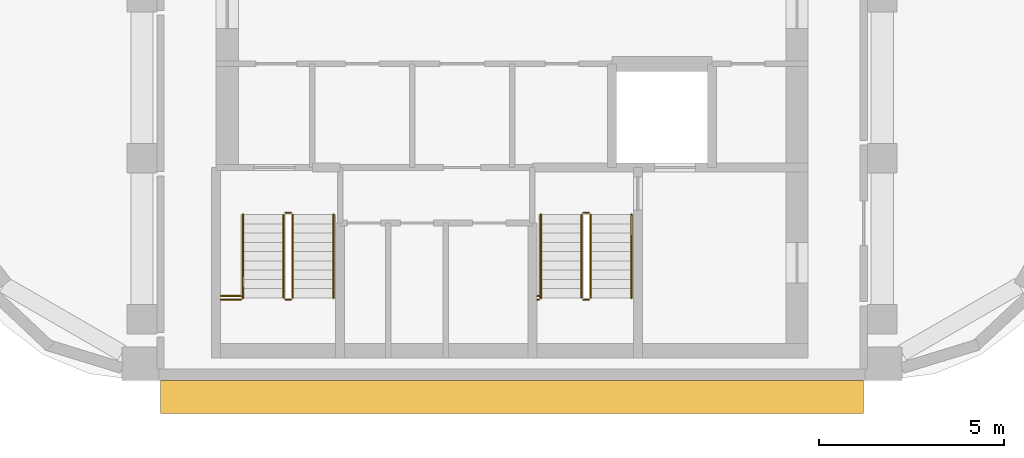
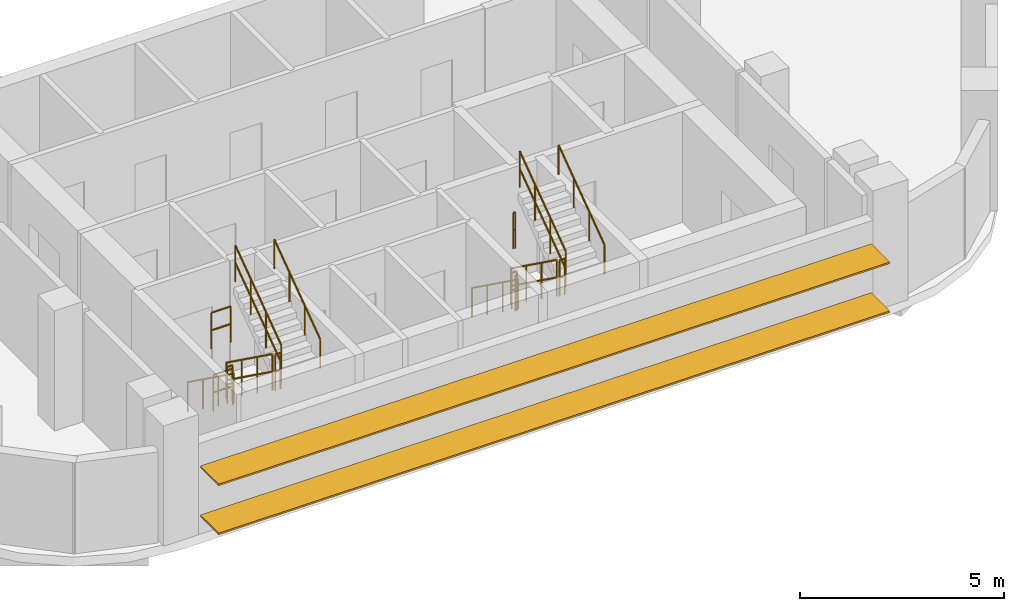
# One storey, part 7 of 9: 16 railings, 2 shading devices.
"""IFC4 building model written with IfcOpenShell, lengths in metres."""

from ifc_helpers import new_model, si_unit, direction, frame, origin, origin_2d, place, context, subcontext, project, spatial, rectangle, circle, extrude, material, material_profile, profile_set, type_object, element, save


model = new_model("IFC4")

# Units and contexts
model_context = context("Model", 3, precision=1e-05, world=origin(), true_north=direction((0.0, 1.0)))
body_context = subcontext(model_context, "Body", "Model", "MODEL_VIEW")
ifc_project = project(units=[si_unit("LENGTHUNIT", "METRE"), si_unit("AREAUNIT", "SQUARE_METRE"), si_unit("VOLUMEUNIT", "CUBIC_METRE"), si_unit("PLANEANGLEUNIT", "RADIAN"), si_unit("MASSUNIT", "GRAM", prefix="KILO")], contexts=[model_context])

# Site, building, storey
site_placement = place(None, origin())
site = spatial("IfcSite", under=ifc_project, at=site_placement, CompositionType="ELEMENT")
building_placement = place(site_placement, origin())
building = spatial("IfcBuilding", under=site, at=building_placement, Name="Nakaniwa Court", CompositionType="ELEMENT")
storey_placement = place(building_placement, frame((0.0, 0.0, 276.0)))
storey = spatial("IfcBuildingStorey", under=building, at=storey_placement, Name="C02", CompositionType="ELEMENT", Elevation=276.0)

# Shading devices
ifc_material_1 = material(Name="Perforated charcoal ceramic louvre blade")
ifc_material_profile = material_profile(ifc_material_1, rectangle(XDim=0.89990234375, YDim=0.050048828125, at=origin_2d()), Name="Perforated ceramic louvre blade")
ifc_profile_set = profile_set([ifc_material_profile], Name="Perforated charcoal ceramic louvre blade")
shading_device_type = type_object("IfcShadingDeviceType", Name="Perforated ceramic louvre blade", PredefinedType="JALOUSIE", material=ifc_profile_set)
for number, where, z_axis, x_axis, name in (
    (1, (70.500732421875, 56.89990234375, 0.550048828125), (1.0, 0.0, 0.0), (0.0, 1.0, 0.0), "C02 perforated ceramic louvre blade w10 1"),
    (2, (70.500732421875, 56.89990234375, 2.014892578125), (1.0, 0.0, 0.0), (0.0, 1.0, 0.0), "C02 perforated ceramic louvre blade w10 2"),
):
    element("IfcShadingDevice", number, at=place(storey_placement, frame(where, z_axis=z_axis, x_axis=x_axis)), inside=storey, type_object=shading_device_type, Name=name, PredefinedType="JALOUSIE", context=body_context, shape_type="SweptSolid", body=[
        extrude(rectangle(XDim=0.89990234375, YDim=0.050048828125, at=origin_2d()), origin(), (0.0, 0.0, 1.0), 18.99267578125),
    ])

# Railings
ifc_material_2 = material(Name="Black powder coated steel guard", Category="steel")
railing_type_1 = type_object("IfcRailingType", Name="Stair guard 1100", PredefinedType="GUARDRAIL", material=ifc_material_2)
railing_1_placement = place(storey_placement, frame((73.824951171875, 61.824951171875, 0.179931640625)))
element("IfcRailing", 3, at=railing_1_placement, inside=storey, type_object=railing_type_1, Name="C02 ST3 stair guard 1", PredefinedType="GUARDRAIL", context=body_context, shape_type="SweptSolid", body=[
    extrude(circle(Radius=0.02392578125, at=origin_2d()), frame((0.0, 0.0, 1.076171875), z_axis=(0.0, -0.811514298965, 0.584332561625), x_axis=(1.0, 0.0, 0.0)), (0.0, 0.0, 1.0), 2.772705078125),
    extrude(circle(Radius=0.02392578125, at=origin_2d()), frame((0.0, 0.0, 0.550048828125), z_axis=(0.0, -0.811514298965, 0.584332561625), x_axis=(1.0, 0.0, 0.0)), (0.0, 0.0, 1.0), 2.772705078125),
    extrude(circle(Radius=0.02099609375, at=origin_2d()), origin(), (0.0, 0.0, 1.0), 1.052001953125),
    extrude(circle(Radius=0.02099609375, at=origin_2d()), frame((0.0, -0.75, 0.5400390625)), (0.0, 0.0, 1.0), 1.052001953125),
    extrude(circle(Radius=0.02099609375, at=origin_2d()), frame((0.0, -1.5, 1.080078125)), (0.0, 0.0, 1.0), 1.052001953125),
    extrude(circle(Radius=0.02099609375, at=origin_2d()), frame((0.0, -2.25, 1.6201171875)), (0.0, 0.0, 1.0), 1.052001953125),
])
railing_2_placement = place(storey_placement, frame((73.875, 59.52490234375, 1.800048828125)))
element("IfcRailing", 4, at=railing_2_placement, inside=storey, type_object=railing_type_1, Name="C02 ST3 stair guard 2", PredefinedType="GUARDRAIL", context=body_context, shape_type="SweptSolid", body=[
    extrude(circle(Radius=0.02392578125, at=origin_2d()), frame((0.0, 0.0, 1.076171875), z_axis=(1.0, 0.0, 0.0), x_axis=(0.0, 1.0, 0.0)), (0.0, 0.0, 1.0), 0.14990234375),
    extrude(circle(Radius=0.02392578125, at=origin_2d()), frame((0.0, 0.0, 0.550048828125), z_axis=(1.0, 0.0, 0.0), x_axis=(0.0, 1.0, 0.0)), (0.0, 0.0, 1.0), 0.14990234375),
    extrude(circle(Radius=0.02099609375, at=origin_2d()), origin(), (0.0, 0.0, 1.0), 1.052001953125),
    extrude(circle(Radius=0.02099609375, at=origin_2d()), frame((0.14990234375, 0.0, 0.0)), (0.0, 0.0, 1.0), 1.052001953125),
])
railing_3_placement = place(storey_placement, frame((74.074951171875, 59.574951171875, 1.97998046875)))
element("IfcRailing", 5, at=railing_3_placement, inside=storey, type_object=railing_type_1, Name="C02 ST3 stair guard 3", PredefinedType="GUARDRAIL", context=body_context, shape_type="SweptSolid", body=[
    extrude(circle(Radius=0.02392578125, at=origin_2d()), frame((0.0, 0.0, 1.076171875), z_axis=(0.0, 0.811514298965, 0.584332561625), x_axis=(-1.0, 0.0, 0.0)), (0.0, 0.0, 1.0), 2.772705078125),
    extrude(circle(Radius=0.02392578125, at=origin_2d()), frame((0.0, 0.0, 0.550048828125), z_axis=(0.0, 0.811514298965, 0.584332561625), x_axis=(-1.0, 0.0, 0.0)), (0.0, 0.0, 1.0), 2.772705078125),
    extrude(circle(Radius=0.02099609375, at=origin_2d()), origin(), (0.0, 0.0, 1.0), 1.052001953125),
    extrude(circle(Radius=0.02099609375, at=origin_2d()), frame((0.0, 0.75, 0.5400390625)), (0.0, 0.0, 1.0), 1.052001953125),
    extrude(circle(Radius=0.02099609375, at=origin_2d()), frame((0.0, 1.5, 1.080078125)), (0.0, 0.0, 1.0), 1.052001953125),
    extrude(circle(Radius=0.02099609375, at=origin_2d()), frame((0.0, 2.25, 1.6201171875)), (0.0, 0.0, 1.0), 1.052001953125),
])
railing_4_placement = place(storey_placement, frame((73.875, 61.875, 0.0)))
element("IfcRailing", 6, at=railing_4_placement, inside=storey, type_object=railing_type_1, Name="C02 ST3 stair guard 4", PredefinedType="GUARDRAIL", context=body_context, shape_type="SweptSolid", body=[
    extrude(circle(Radius=0.02392578125, at=origin_2d()), frame((0.0, 0.0, 1.076171875), z_axis=(1.0, 0.0, 0.0), x_axis=(0.0, 1.0, 0.0)), (0.0, 0.0, 1.0), 0.14990234375),
    extrude(circle(Radius=0.02392578125, at=origin_2d()), frame((0.0, 0.0, 0.550048828125), z_axis=(1.0, 0.0, 0.0), x_axis=(0.0, 1.0, 0.0)), (0.0, 0.0, 1.0), 0.14990234375),
    extrude(circle(Radius=0.02099609375, at=origin_2d()), origin(), (0.0, 0.0, 1.0), 1.052001953125),
    extrude(circle(Radius=0.02099609375, at=origin_2d()), frame((0.14990234375, 0.0, 0.0)), (0.0, 0.0, 1.0), 1.052001953125),
])
for number, where, name in (
    (7, (72.125, 59.52490234375, 1.800048828125), "C02 ST3 landing side guard 1W"),
    (8, (72.125, 59.625, 3.60009765625), "C02 ST3 floor edge guard 1W"),
):
    element("IfcRailing", number, at=place(storey_placement, frame(where)), inside=storey, type_object=railing_type_1, Name=name, PredefinedType="GUARDRAIL", context=body_context, shape_type="SweptSolid", body=[
        extrude(circle(Radius=0.02392578125, at=origin_2d()), frame((0.0, 0.0, 1.076171875), z_axis=(1.0, 0.0, 0.0), x_axis=(0.0, 1.0, 0.0)), (0.0, 0.0, 1.0), 0.550048828125),
        extrude(circle(Radius=0.02392578125, at=origin_2d()), frame((0.0, 0.0, 0.550048828125), z_axis=(1.0, 0.0, 0.0), x_axis=(0.0, 1.0, 0.0)), (0.0, 0.0, 1.0), 0.550048828125),
        extrude(circle(Radius=0.02099609375, at=origin_2d()), origin(), (0.0, 0.0, 1.0), 1.052001953125),
        extrude(circle(Radius=0.02099609375, at=origin_2d()), frame((0.550048828125, 0.0, 0.0)), (0.0, 0.0, 1.0), 1.052001953125),
    ])
railing_5_placement = place(storey_placement, frame((81.875, 61.824951171875, 0.179931640625)))
element("IfcRailing", 9, at=railing_5_placement, inside=storey, type_object=railing_type_1, Name="C02 ST4 stair guard 1", PredefinedType="GUARDRAIL", context=body_context, shape_type="SweptSolid", body=[
    extrude(circle(Radius=0.02392578125, at=origin_2d()), frame((0.0, 0.0, 1.076171875), z_axis=(0.0, -0.811514298965, 0.584332561625), x_axis=(1.0, 0.0, 0.0)), (0.0, 0.0, 1.0), 2.772705078125),
    extrude(circle(Radius=0.02392578125, at=origin_2d()), frame((0.0, 0.0, 0.550048828125), z_axis=(0.0, -0.811514298965, 0.584332561625), x_axis=(1.0, 0.0, 0.0)), (0.0, 0.0, 1.0), 2.772705078125),
    extrude(circle(Radius=0.02099609375, at=origin_2d()), origin(), (0.0, 0.0, 1.0), 1.052001953125),
    extrude(circle(Radius=0.02099609375, at=origin_2d()), frame((0.0, -0.75, 0.5400390625)), (0.0, 0.0, 1.0), 1.052001953125),
    extrude(circle(Radius=0.02099609375, at=origin_2d()), frame((0.0, -1.5, 1.080078125)), (0.0, 0.0, 1.0), 1.052001953125),
    extrude(circle(Radius=0.02099609375, at=origin_2d()), frame((0.0, -2.25, 1.6201171875)), (0.0, 0.0, 1.0), 1.052001953125),
])
railing_6_placement = place(storey_placement, frame((81.925048828125, 59.52490234375, 1.800048828125)))
element("IfcRailing", 10, at=railing_6_placement, inside=storey, type_object=railing_type_1, Name="C02 ST4 stair guard 2", PredefinedType="GUARDRAIL", context=body_context, shape_type="SweptSolid", body=[
    extrude(circle(Radius=0.02392578125, at=origin_2d()), frame((0.0, 0.0, 1.076171875), z_axis=(1.0, 0.0, 0.0), x_axis=(0.0, 1.0, 0.0)), (0.0, 0.0, 1.0), 0.14990234375),
    extrude(circle(Radius=0.02392578125, at=origin_2d()), frame((0.0, 0.0, 0.550048828125), z_axis=(1.0, 0.0, 0.0), x_axis=(0.0, 1.0, 0.0)), (0.0, 0.0, 1.0), 0.14990234375),
    extrude(circle(Radius=0.02099609375, at=origin_2d()), origin(), (0.0, 0.0, 1.0), 1.052001953125),
    extrude(circle(Radius=0.02099609375, at=origin_2d()), frame((0.14990234375, 0.0, 0.0)), (0.0, 0.0, 1.0), 1.052001953125),
])
railing_7_placement = place(storey_placement, frame((82.125, 59.574951171875, 1.97998046875)))
element("IfcRailing", 11, at=railing_7_placement, inside=storey, type_object=railing_type_1, Name="C02 ST4 stair guard 3", PredefinedType="GUARDRAIL", context=body_context, shape_type="SweptSolid", body=[
    extrude(circle(Radius=0.02392578125, at=origin_2d()), frame((0.0, 0.0, 1.076171875), z_axis=(0.0, 0.811514298965, 0.584332561625), x_axis=(-1.0, 0.0, 0.0)), (0.0, 0.0, 1.0), 2.772705078125),
    extrude(circle(Radius=0.02392578125, at=origin_2d()), frame((0.0, 0.0, 0.550048828125), z_axis=(0.0, 0.811514298965, 0.584332561625), x_axis=(-1.0, 0.0, 0.0)), (0.0, 0.0, 1.0), 2.772705078125),
    extrude(circle(Radius=0.02099609375, at=origin_2d()), origin(), (0.0, 0.0, 1.0), 1.052001953125),
    extrude(circle(Radius=0.02099609375, at=origin_2d()), frame((0.0, 0.75, 0.5400390625)), (0.0, 0.0, 1.0), 1.052001953125),
    extrude(circle(Radius=0.02099609375, at=origin_2d()), frame((0.0, 1.5, 1.080078125)), (0.0, 0.0, 1.0), 1.052001953125),
    extrude(circle(Radius=0.02099609375, at=origin_2d()), frame((0.0, 2.25, 1.6201171875)), (0.0, 0.0, 1.0), 1.052001953125),
])
railing_8_placement = place(storey_placement, frame((81.925048828125, 61.875, 0.0)))
element("IfcRailing", 12, at=railing_8_placement, inside=storey, type_object=railing_type_1, Name="C02 ST4 stair guard 4", PredefinedType="GUARDRAIL", context=body_context, shape_type="SweptSolid", body=[
    extrude(circle(Radius=0.02392578125, at=origin_2d()), frame((0.0, 0.0, 1.076171875), z_axis=(1.0, 0.0, 0.0), x_axis=(0.0, 1.0, 0.0)), (0.0, 0.0, 1.0), 0.14990234375),
    extrude(circle(Radius=0.02392578125, at=origin_2d()), frame((0.0, 0.0, 0.550048828125), z_axis=(1.0, 0.0, 0.0), x_axis=(0.0, 1.0, 0.0)), (0.0, 0.0, 1.0), 0.14990234375),
    extrude(circle(Radius=0.02099609375, at=origin_2d()), origin(), (0.0, 0.0, 1.0), 1.052001953125),
    extrude(circle(Radius=0.02099609375, at=origin_2d()), frame((0.14990234375, 0.0, 0.0)), (0.0, 0.0, 1.0), 1.052001953125),
])
for number, where, name in (
    (13, (80.675048828125, 59.52490234375, 1.800048828125), "C02 ST4 landing side guard 1W"),
    (14, (80.675048828125, 59.625, 3.60009765625), "C02 ST4 floor edge guard 1W"),
):
    element("IfcRailing", number, at=place(storey_placement, frame(where)), inside=storey, type_object=railing_type_1, Name=name, PredefinedType="GUARDRAIL", context=body_context, shape_type="SweptSolid", body=[
        extrude(circle(Radius=0.02392578125, at=origin_2d()), frame((0.0, 0.0, 1.076171875), z_axis=(1.0, 0.0, 0.0), x_axis=(0.0, 1.0, 0.0)), (0.0, 0.0, 1.0), 0.050048828125),
        extrude(circle(Radius=0.02392578125, at=origin_2d()), frame((0.0, 0.0, 0.550048828125), z_axis=(1.0, 0.0, 0.0), x_axis=(0.0, 1.0, 0.0)), (0.0, 0.0, 1.0), 0.050048828125),
        extrude(circle(Radius=0.02099609375, at=origin_2d()), origin(), (0.0, 0.0, 1.0), 1.052001953125),
        extrude(circle(Radius=0.02099609375, at=origin_2d()), frame((0.050048828125, 0.0, 0.0)), (0.0, 0.0, 1.0), 1.052001953125),
    ])
ifc_material_3 = material(Name="Black powder coated steel handrail", Category="steel")
railing_type_2 = type_object("IfcRailingType", Name="Stair handrail 900", PredefinedType="HANDRAIL", material=ifc_material_3)
railing_9_placement = place(storey_placement, frame((72.72509765625, 61.824951171875, 0.179931640625)))
element("IfcRailing", 15, at=railing_9_placement, inside=storey, type_object=railing_type_2, Name="C02 ST3 stair handrail 1", PredefinedType="HANDRAIL", context=body_context, shape_type="SweptSolid", body=[
    extrude(circle(Radius=0.02392578125, at=origin_2d()), frame((0.0, 0.0, 0.8759765625), z_axis=(0.0, -0.811514298965, 0.584332561625), x_axis=(1.0, 0.0, 0.0)), (0.0, 0.0, 1.0), 2.772705078125),
    extrude(circle(Radius=0.02099609375, at=origin_2d()), origin(), (0.0, 0.0, 1.0), 0.851806640625),
    extrude(circle(Radius=0.02099609375, at=origin_2d()), frame((0.0, -0.75, 0.5400390625)), (0.0, 0.0, 1.0), 0.851806640625),
    extrude(circle(Radius=0.02099609375, at=origin_2d()), frame((0.0, -1.5, 1.080078125)), (0.0, 0.0, 1.0), 0.851806640625),
    extrude(circle(Radius=0.02099609375, at=origin_2d()), frame((0.0, -2.25, 1.6201171875)), (0.0, 0.0, 1.0), 0.851806640625),
])
railing_10_placement = place(storey_placement, frame((75.175048828125, 59.574951171875, 1.97998046875)))
element("IfcRailing", 16, at=railing_10_placement, inside=storey, type_object=railing_type_2, Name="C02 ST3 stair handrail 2", PredefinedType="HANDRAIL", context=body_context, shape_type="SweptSolid", body=[
    extrude(circle(Radius=0.02392578125, at=origin_2d()), frame((0.0, 0.0, 0.8759765625), z_axis=(0.0, 0.811514298965, 0.584332561625), x_axis=(-1.0, 0.0, 0.0)), (0.0, 0.0, 1.0), 2.772705078125),
    extrude(circle(Radius=0.02099609375, at=origin_2d()), origin(), (0.0, 0.0, 1.0), 0.851806640625),
    extrude(circle(Radius=0.02099609375, at=origin_2d()), frame((0.0, 0.75, 0.5400390625)), (0.0, 0.0, 1.0), 0.851806640625),
    extrude(circle(Radius=0.02099609375, at=origin_2d()), frame((0.0, 1.5, 1.080078125)), (0.0, 0.0, 1.0), 0.851806640625),
    extrude(circle(Radius=0.02099609375, at=origin_2d()), frame((0.0, 2.25, 1.6201171875)), (0.0, 0.0, 1.0), 0.851806640625),
])
railing_11_placement = place(storey_placement, frame((80.77490234375, 61.824951171875, 0.179931640625)))
element("IfcRailing", 17, at=railing_11_placement, inside=storey, type_object=railing_type_2, Name="C02 ST4 stair handrail 1", PredefinedType="HANDRAIL", context=body_context, shape_type="SweptSolid", body=[
    extrude(circle(Radius=0.02392578125, at=origin_2d()), frame((0.0, 0.0, 0.8759765625), z_axis=(0.0, -0.811514298965, 0.584332561625), x_axis=(1.0, 0.0, 0.0)), (0.0, 0.0, 1.0), 2.772705078125),
    extrude(circle(Radius=0.02099609375, at=origin_2d()), origin(), (0.0, 0.0, 1.0), 0.851806640625),
    extrude(circle(Radius=0.02099609375, at=origin_2d()), frame((0.0, -0.75, 0.5400390625)), (0.0, 0.0, 1.0), 0.851806640625),
    extrude(circle(Radius=0.02099609375, at=origin_2d()), frame((0.0, -1.5, 1.080078125)), (0.0, 0.0, 1.0), 0.851806640625),
    extrude(circle(Radius=0.02099609375, at=origin_2d()), frame((0.0, -2.25, 1.6201171875)), (0.0, 0.0, 1.0), 0.851806640625),
])
railing_12_placement = place(storey_placement, frame((83.22509765625, 59.574951171875, 1.97998046875)))
element("IfcRailing", 18, at=railing_12_placement, inside=storey, type_object=railing_type_2, Name="C02 ST4 stair handrail 2", PredefinedType="HANDRAIL", context=body_context, shape_type="SweptSolid", body=[
    extrude(circle(Radius=0.02392578125, at=origin_2d()), frame((0.0, 0.0, 0.8759765625), z_axis=(0.0, 0.811514298965, 0.584332561625), x_axis=(-1.0, 0.0, 0.0)), (0.0, 0.0, 1.0), 2.772705078125),
    extrude(circle(Radius=0.02099609375, at=origin_2d()), origin(), (0.0, 0.0, 1.0), 0.851806640625),
    extrude(circle(Radius=0.02099609375, at=origin_2d()), frame((0.0, 0.75, 0.5400390625)), (0.0, 0.0, 1.0), 0.851806640625),
    extrude(circle(Radius=0.02099609375, at=origin_2d()), frame((0.0, 1.5, 1.080078125)), (0.0, 0.0, 1.0), 0.851806640625),
    extrude(circle(Radius=0.02099609375, at=origin_2d()), frame((0.0, 2.25, 1.6201171875)), (0.0, 0.0, 1.0), 0.851806640625),
])

save(model, "model.ifc")
